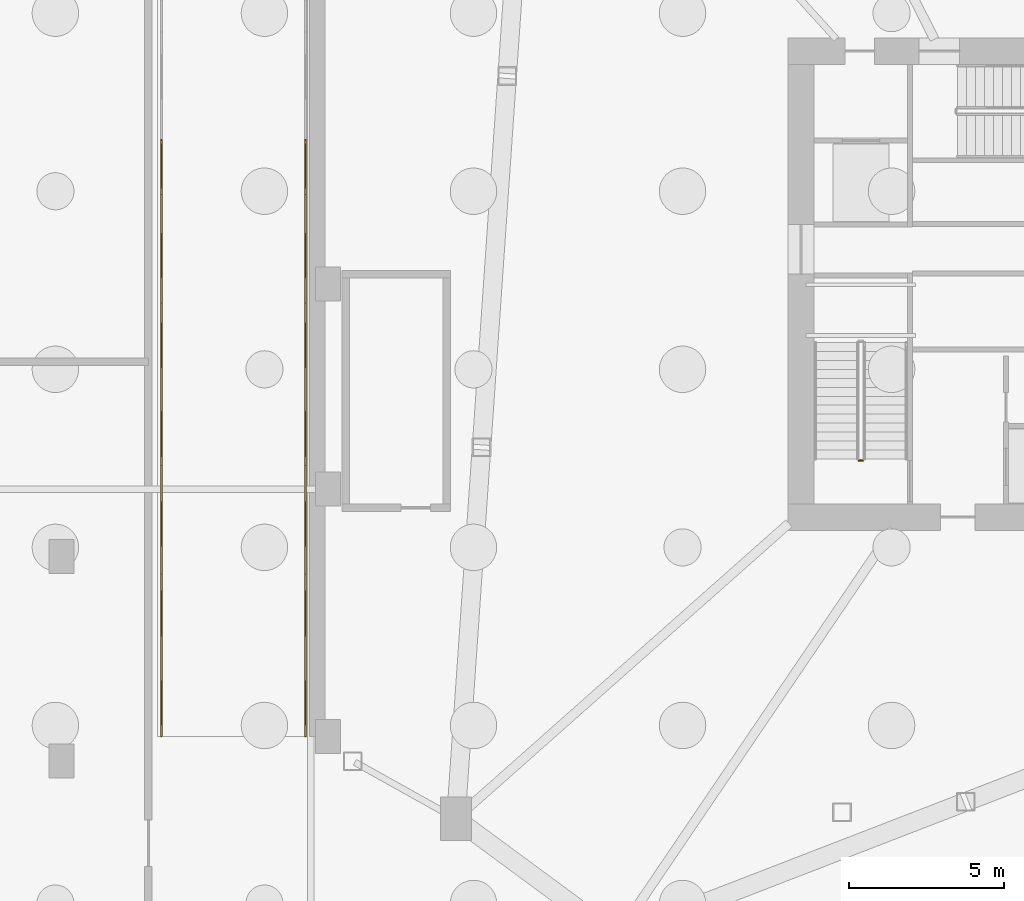
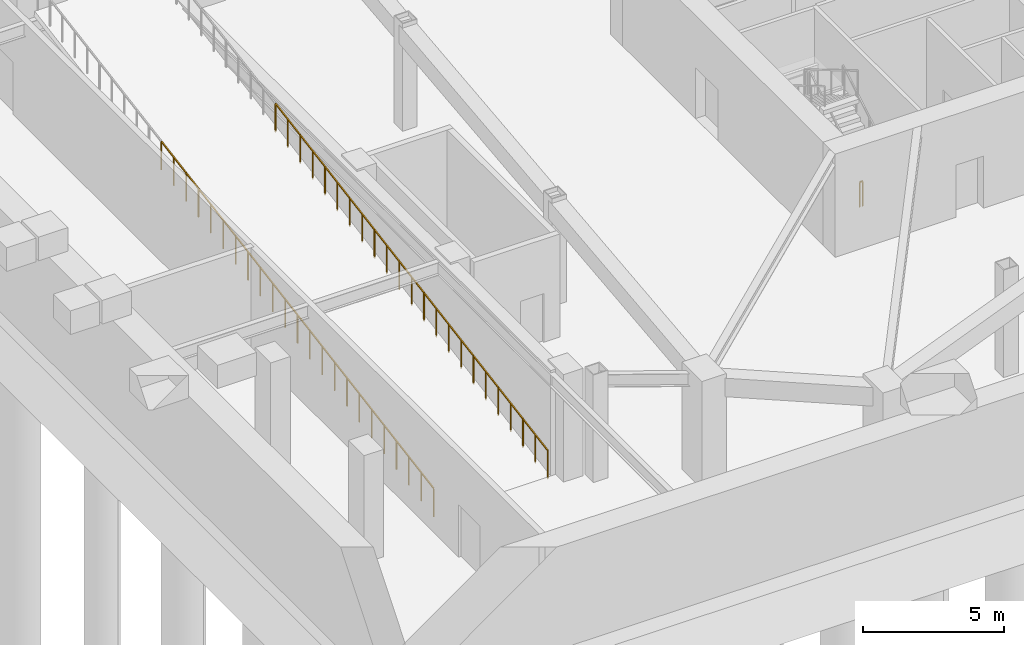
# One storey, part 6 of 9: 23 railings.
"""IFC4 building model written with IfcOpenShell, lengths in metres."""

from ifc_helpers import new_model, si_unit, direction, frame, origin, origin_2d, place, context, subcontext, project, spatial, rectangle, extrude, material, type_object, element, save


model = new_model("IFC4")

# Units and contexts
model_context = context("Model", 3, precision=1e-05, world=origin(), true_north=direction((0.0, 1.0)))
body_context = subcontext(model_context, "Body", "Model", "MODEL_VIEW")
ifc_project = project(units=[si_unit("LENGTHUNIT", "METRE"), si_unit("AREAUNIT", "SQUARE_METRE"), si_unit("VOLUMEUNIT", "CUBIC_METRE"), si_unit("PLANEANGLEUNIT", "RADIAN"), si_unit("MASSUNIT", "GRAM", prefix="KILO")], contexts=[model_context])

# Site, building, storey
site_placement = place(None, origin())
site = spatial("IfcSite", under=ifc_project, at=site_placement, CompositionType="ELEMENT")
building_placement = place(site_placement, origin())
building = spatial("IfcBuilding", under=site, at=building_placement, Name="Olszyna Solenne Hotel", CompositionType="ELEMENT")
storey_placement = place(building_placement, frame((0.0, 0.0, -9.60009765625)))
storey = spatial("IfcBuildingStorey", under=building, at=storey_placement, Name="B02", CompositionType="ELEMENT", Elevation=-9.60009765625)

# Railings
ifc_material_1 = material(Name="Anodised bronze aluminium", Category="aluminium")
railing_type_1 = type_object("IfcRailingType", Name="GR-110", PredefinedType="BALUSTRADE", material=ifc_material_1)
railing_placement = place(storey_placement, frame((31.669921875, 20.89990234375, 0.0)))
element("IfcRailing", 1, at=railing_placement, inside=storey, type_object=railing_type_1, Name="B02 ST1 stair guard 4", PredefinedType="BALUSTRADE", context=body_context, shape_type="SweptSolid", body=[
    extrude(rectangle(XDim=0.048095703125, YDim=0.048095703125, at=origin_2d()), frame((0.0, 0.0, 1.076171875), z_axis=(-1.0, 0.0, 0.0), x_axis=(0.0, -1.0, 0.0)), (0.0, 0.0, 1.0), 0.119873046875),
    extrude(rectangle(XDim=0.0419921875, YDim=0.0419921875, at=origin_2d()), origin(), (0.0, 0.0, 1.0), 1.052001953125),
    extrude(rectangle(XDim=0.0419921875, YDim=0.0419921875, at=origin_2d()), frame((-0.119873046875, 0.0, 0.0)), (0.0, 0.0, 1.0), 1.052001953125),
])
ifc_material_2 = material(Name="Steel S355J2", Category="steel")
railing_type_2 = type_object("IfcRailingType", Name="GR-115", PredefinedType="BALUSTRADE", material=ifc_material_2)
for number, where, name in (
    (2, (9.02001953125, 12.0, -0.079833984375), "Vehicle ramp RFL-V01 W edge guard GR-V1W-01"),
    (3, (13.679931640625, 12.0, -0.079833984375), "Vehicle ramp RFL-V01 E edge guard GR-V1E-01"),
):
    element("IfcRailing", number, at=place(storey_placement, frame(where)), inside=storey, type_object=railing_type_2, Name=name, PredefinedType="BALUSTRADE", context=body_context, shape_type="SweptSolid", body=[
        extrude(rectangle(XDim=0.048095703125, YDim=0.048095703125, at=origin_2d()), frame((0.0, 0.0, 1.22607421875), z_axis=(0.0, 0.98561767467, 0.168990530437), x_axis=(-1.0, 0.0, 0.0)), (0.0, 0.0, 1.0), 1.775634765625),
        extrude(rectangle(XDim=0.0419921875, YDim=0.0419921875, at=origin_2d()), origin(), (0.0, 0.0, 1.0), 1.201904296875),
        extrude(rectangle(XDim=0.0419921875, YDim=0.0419921875, at=origin_2d()), frame((0.0, 0.875, 0.14990234375)), (0.0, 0.0, 1.0), 1.201904296875),
        extrude(rectangle(XDim=0.0419921875, YDim=0.0419921875, at=origin_2d()), frame((0.0, 1.75, 0.300048828125)), (0.0, 0.0, 1.0), 1.201904296875),
    ])
for number, where, name in (
    (4, (9.02001953125, 13.75, 0.22021484375), "Vehicle ramp RFL-V01 W edge guard GR-V1W-02"),
    (5, (13.679931640625, 13.75, 0.22021484375), "Vehicle ramp RFL-V01 E edge guard GR-V1E-02"),
):
    element("IfcRailing", number, at=place(storey_placement, frame(where)), inside=storey, type_object=railing_type_2, Name=name, PredefinedType="BALUSTRADE", context=body_context, shape_type="SweptSolid", body=[
        extrude(rectangle(XDim=0.048095703125, YDim=0.048095703125, at=origin_2d()), frame((0.0, 0.0, 1.22607421875), z_axis=(0.0, 0.985640568569, 0.168856950084), x_axis=(-1.0, 0.0, 0.0)), (0.0, 0.0, 1.0), 1.775390625),
        extrude(rectangle(XDim=0.0419921875, YDim=0.0419921875, at=origin_2d()), origin(), (0.0, 0.0, 1.0), 1.201904296875),
        extrude(rectangle(XDim=0.0419921875, YDim=0.0419921875, at=origin_2d()), frame((0.0, 0.875, 0.14990234375)), (0.0, 0.0, 1.0), 1.201904296875),
        extrude(rectangle(XDim=0.0419921875, YDim=0.0419921875, at=origin_2d()), frame((0.0, 1.75, 0.2998046875)), (0.0, 0.0, 1.0), 1.201904296875),
    ])
for number, where, name in (
    (6, (9.02001953125, 15.5, 0.52001953125), "Vehicle ramp RFL-V01 W edge guard GR-V1W-03"),
    (7, (13.679931640625, 15.5, 0.52001953125), "Vehicle ramp RFL-V01 E edge guard GR-V1E-03"),
    (8, (9.02001953125, 17.25, 0.820068359375), "Vehicle ramp RFL-V01 W edge guard GR-V1W-04"),
    (9, (13.679931640625, 17.25, 0.820068359375), "Vehicle ramp RFL-V01 E edge guard GR-V1E-04"),
    (10, (9.02001953125, 19.0, 1.1201171875), "Vehicle ramp RFL-V01 W edge guard GR-V1W-05"),
    (11, (13.679931640625, 19.0, 1.1201171875), "Vehicle ramp RFL-V01 E edge guard GR-V1E-05"),
    (12, (9.02001953125, 20.75, 1.420166015625), "Vehicle ramp RFL-V01 W edge guard GR-V1W-06"),
    (13, (13.679931640625, 20.75, 1.420166015625), "Vehicle ramp RFL-V01 E edge guard GR-V1E-06"),
):
    element("IfcRailing", number, at=place(storey_placement, frame(where)), inside=storey, type_object=railing_type_2, Name=name, PredefinedType="BALUSTRADE", context=body_context, shape_type="SweptSolid", body=[
        extrude(rectangle(XDim=0.048095703125, YDim=0.048095703125, at=origin_2d()), frame((0.0, 0.0, 1.22607421875), z_axis=(0.0, 0.98561767467, 0.168990530437), x_axis=(-1.0, 0.0, 0.0)), (0.0, 0.0, 1.0), 1.775634765625),
        extrude(rectangle(XDim=0.0419921875, YDim=0.0419921875, at=origin_2d()), origin(), (0.0, 0.0, 1.0), 1.201904296875),
        extrude(rectangle(XDim=0.0419921875, YDim=0.0419921875, at=origin_2d()), frame((0.0, 0.875, 0.14990234375)), (0.0, 0.0, 1.0), 1.201904296875),
        extrude(rectangle(XDim=0.0419921875, YDim=0.0419921875, at=origin_2d()), frame((0.0, 1.75, 0.300048828125)), (0.0, 0.0, 1.0), 1.201904296875),
    ])
for number, where, name in (
    (14, (9.02001953125, 22.5, 1.72021484375), "Vehicle ramp RFL-V01 W edge guard GR-V1W-07"),
    (15, (13.679931640625, 22.5, 1.72021484375), "Vehicle ramp RFL-V01 E edge guard GR-V1E-07"),
):
    element("IfcRailing", number, at=place(storey_placement, frame(where)), inside=storey, type_object=railing_type_2, Name=name, PredefinedType="BALUSTRADE", context=body_context, shape_type="SweptSolid", body=[
        extrude(rectangle(XDim=0.048095703125, YDim=0.048095703125, at=origin_2d()), frame((0.0, 0.0, 1.22607421875), z_axis=(0.0, 0.985640568569, 0.168856950084), x_axis=(-1.0, 0.0, 0.0)), (0.0, 0.0, 1.0), 1.775390625),
        extrude(rectangle(XDim=0.0419921875, YDim=0.0419921875, at=origin_2d()), origin(), (0.0, 0.0, 1.0), 1.201904296875),
        extrude(rectangle(XDim=0.0419921875, YDim=0.0419921875, at=origin_2d()), frame((0.0, 0.875, 0.14990234375)), (0.0, 0.0, 1.0), 1.201904296875),
        extrude(rectangle(XDim=0.0419921875, YDim=0.0419921875, at=origin_2d()), frame((0.0, 1.75, 0.2998046875)), (0.0, 0.0, 1.0), 1.201904296875),
    ])
for number, where, name in (
    (16, (9.02001953125, 24.25, 2.02001953125), "Vehicle ramp RFL-V01 W edge guard GR-V1W-08"),
    (17, (13.679931640625, 24.25, 2.02001953125), "Vehicle ramp RFL-V01 E edge guard GR-V1E-08"),
    (18, (9.02001953125, 26.0, 2.320068359375), "Vehicle ramp RFL-V01 W edge guard GR-V1W-09"),
    (19, (13.679931640625, 26.0, 2.320068359375), "Vehicle ramp RFL-V01 E edge guard GR-V1E-09"),
    (20, (9.02001953125, 27.75, 2.6201171875), "Vehicle ramp RFL-V01 W edge guard GR-V1W-10"),
    (21, (13.679931640625, 27.75, 2.6201171875), "Vehicle ramp RFL-V01 E edge guard GR-V1E-10"),
    (22, (9.02001953125, 29.5, 2.920166015625), "Vehicle ramp RFL-V01 W edge guard GR-V1W-11"),
    (23, (13.679931640625, 29.5, 2.920166015625), "Vehicle ramp RFL-V01 E edge guard GR-V1E-11"),
):
    element("IfcRailing", number, at=place(storey_placement, frame(where)), inside=storey, type_object=railing_type_2, Name=name, PredefinedType="BALUSTRADE", context=body_context, shape_type="SweptSolid", body=[
        extrude(rectangle(XDim=0.048095703125, YDim=0.048095703125, at=origin_2d()), frame((0.0, 0.0, 1.22607421875), z_axis=(0.0, 0.98561767467, 0.168990530437), x_axis=(-1.0, 0.0, 0.0)), (0.0, 0.0, 1.0), 1.775634765625),
        extrude(rectangle(XDim=0.0419921875, YDim=0.0419921875, at=origin_2d()), origin(), (0.0, 0.0, 1.0), 1.201904296875),
        extrude(rectangle(XDim=0.0419921875, YDim=0.0419921875, at=origin_2d()), frame((0.0, 0.875, 0.14990234375)), (0.0, 0.0, 1.0), 1.201904296875),
        extrude(rectangle(XDim=0.0419921875, YDim=0.0419921875, at=origin_2d()), frame((0.0, 1.75, 0.300048828125)), (0.0, 0.0, 1.0), 1.201904296875),
    ])

save(model, "model.ifc")
